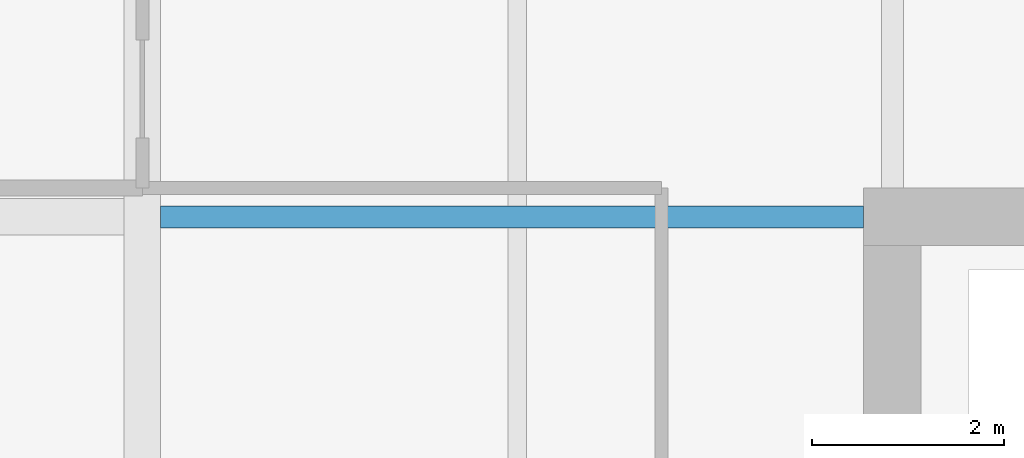
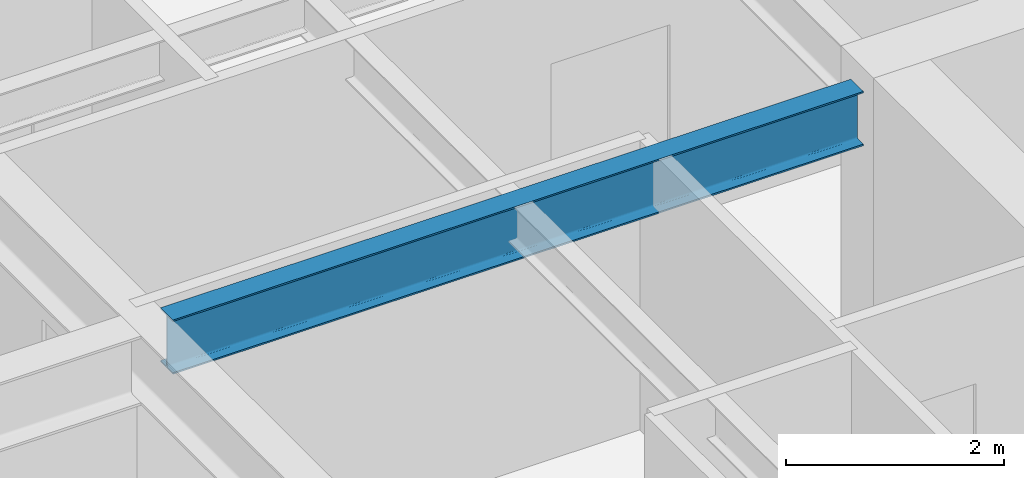
# One storey, part 17 of 34: 1 beam.
"""IFC4 building model written with IfcOpenShell, lengths in metres."""

from ifc_helpers import new_model, si_unit, direction, frame, origin, origin_2d, place, context, subcontext, project, spatial, i_section, extrude, material, material_profile, profile_set, type_object, element, save


model = new_model("IFC4")

# Units and contexts
model_context = context("Model", 3, precision=1e-05, world=origin(), true_north=direction((0.0, 1.0)))
body_context = subcontext(model_context, "Body", "Model", "MODEL_VIEW")
ifc_project = project(units=[si_unit("LENGTHUNIT", "METRE"), si_unit("AREAUNIT", "SQUARE_METRE"), si_unit("VOLUMEUNIT", "CUBIC_METRE"), si_unit("PLANEANGLEUNIT", "RADIAN"), si_unit("MASSUNIT", "GRAM", prefix="KILO")], contexts=[model_context])

# Site, building, storey
site_placement = place(None, origin())
site = spatial("IfcSite", under=ifc_project, at=site_placement, CompositionType="ELEMENT")
building_placement = place(site_placement, origin())
building = spatial("IfcBuilding", under=site, at=building_placement, Name="Drelvath Grand Hotel", CompositionType="ELEMENT")
storey_placement = place(building_placement, frame((0.0, 0.0, 112.800048828125)))
storey = spatial("IfcBuildingStorey", under=building, at=storey_placement, Name="L28", CompositionType="ELEMENT", Elevation=112.800048828125)

# Beam
ifc_material = material(Name="Steel ASTM A992 Gr 50", Category="steel")
ifc_material_profile = material_profile(ifc_material, i_section(OverallWidth=0.228271484375, OverallDepth=0.607666015625, WebThickness=0.01123046875, FlangeThickness=0.017333984375, FilletRadius=0.02001953125, at=origin_2d()), Name="W24X76")
ifc_profile_set = profile_set([ifc_material_profile], Name="Steel ASTM A992 Gr 50")
beam_type = type_object("IfcBeamType", Name="Primary Floor Girder W24X76", PredefinedType="BEAM", material=ifc_profile_set)
beam_placement = place(storey_placement, frame((-16.009765625, 35.39990234375, 2.93603515625), z_axis=(1.0, 0.0, 0.0), x_axis=(0.0, 1.0, 0.0)))
element("IfcBeam", 1, at=beam_placement, inside=storey, type_object=beam_type, Name="L28 West Core Tie F", PredefinedType="BEAM", context=body_context, shape_type="SweptSolid", body=[
    extrude(i_section(OverallWidth=0.228271484375, OverallDepth=0.607666015625, WebThickness=0.01123046875, FlangeThickness=0.017333984375, FilletRadius=0.02001953125, at=origin_2d()), origin(), (0.0, 0.0, 1.0), 7.309814453125),
])

save(model, "model.ifc")
